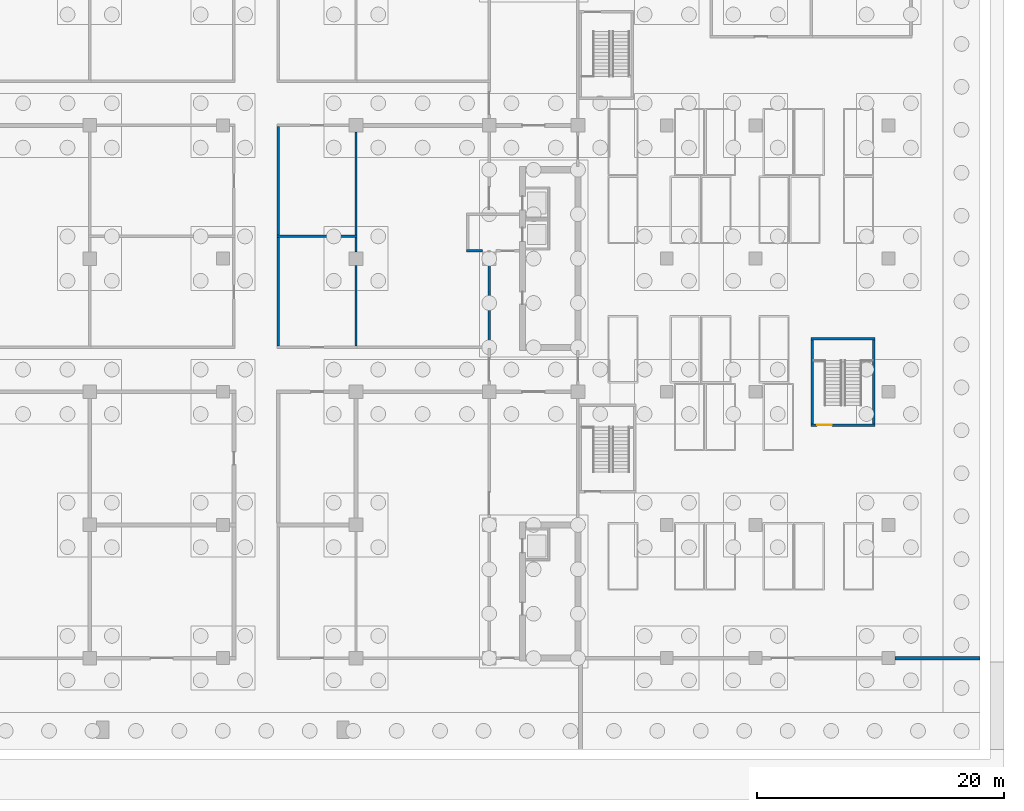
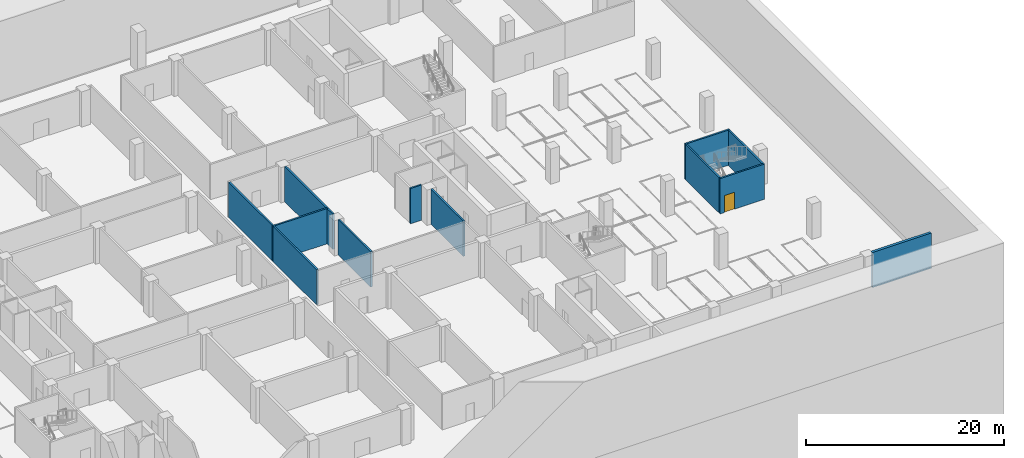
# One storey, part 8 of 18: 13 walls, 1 door, 1 opening.
"""IFC4 building model written with IfcOpenShell, lengths in metres."""

from ifc_helpers import new_model, si_unit, direction, frame, frame_2d, origin, place, context, subcontext, project, spatial, rectangle, extrude, material, layer, layer_set, type_object, element, fill, save


model = new_model("IFC4")

# Units and contexts
model_context = context("Model", 3, precision=1e-05, world=origin(), true_north=direction((0.0, 1.0)))
body_context = subcontext(model_context, "Body", "Model", "MODEL_VIEW")
ifc_project = project(units=[si_unit("LENGTHUNIT", "METRE"), si_unit("AREAUNIT", "SQUARE_METRE"), si_unit("VOLUMEUNIT", "CUBIC_METRE"), si_unit("PLANEANGLEUNIT", "RADIAN"), si_unit("MASSUNIT", "GRAM", prefix="KILO")], contexts=[model_context])

# Site, building, storey
site_placement = place(None, origin())
site = spatial("IfcSite", under=ifc_project, at=site_placement, CompositionType="ELEMENT")
building_placement = place(site_placement, origin())
building = spatial("IfcBuilding", under=site, at=building_placement, Name="Basin Gate Institute", CompositionType="ELEMENT")
storey_placement = place(building_placement, frame((0.0, 0.0, -9.60009765625)))
storey = spatial("IfcBuildingStorey", under=building, at=storey_placement, Name="B2", CompositionType="ELEMENT", Elevation=-9.60009765625)

# Walls
ifc_material_1 = material(Name="Blockwork", Category="masonry")
ifc_layer_1 = layer(ifc_material_1, 0.199951171875)
ifc_layer_set_1 = layer_set([ifc_layer_1], Name="Basement fire partition EI 120")
wall_type_1 = type_object("IfcWallType", Name="Basement fire partition EI 120", PredefinedType="PARTITIONING", material=ifc_layer_set_1)
wall_1_placement = place(storey_placement, frame((94.39990234375, 69.300048828125, 0.0), z_axis=(0.0, 0.0, 1.0), x_axis=(1.0, 0.0, 0.0)))
element("IfcWall", 1, at=wall_1_placement, inside=storey, type_object=wall_type_1, material=ifc_layer_set_1, Name="Compressed Air Plant fire-resisting wall", PredefinedType="PARTITIONING", context=body_context, shape_type="SweptSolid", body=[
    extrude(rectangle(XDim=6.5, YDim=0.199951171875, at=frame_2d((3.25, 0.0))), origin(), (0.0, 0.0, 1.0), 4.35009765625),
])
for number, where, z_axis, x_axis, name in (
    (2, (94.5, 60.39990234375, 0.0), (0.0, 0.0, 1.0), (0.0, 1.0, 0.0), "Compressed Air Plant fire-resisting wall"),
    (3, (94.5, 69.39990234375, 0.0), (0.0, 0.0, 1.0), (0.0, 1.0, 0.0), "Process Gas Store fire-resisting wall"),
):
    element("IfcWall", number, at=place(storey_placement, frame(where, z_axis=z_axis, x_axis=x_axis)), inside=storey, type_object=wall_type_1, material=ifc_layer_set_1, Name=name, PredefinedType="PARTITIONING", context=body_context, shape_type="SweptSolid", body=[
        extrude(rectangle(XDim=8.800048828125, YDim=0.199951171875, at=frame_2d((4.39990234375, 0.0))), origin(), (0.0, 0.0, 1.0), 4.35009765625),
    ])
wall_2_placement = place(storey_placement, frame((100.800048828125, 60.39990234375, 0.0), z_axis=(0.0, 0.0, 1.0), x_axis=(0.0, 1.0, 0.0)))
element("IfcWall", 4, at=wall_2_placement, inside=storey, type_object=wall_type_1, material=ifc_layer_set_1, Name="Compressed Air Plant fire-resisting wall", PredefinedType="PARTITIONING", context=body_context, shape_type="SweptSolid", body=[
    extrude(rectangle(XDim=6.550048828125, YDim=0.199951171875, at=frame_2d((3.27490234375, 0.0))), origin(), (0.0, 0.0, 1.0), 4.35009765625),
])
wall_3_placement = place(storey_placement, frame((100.800048828125, 68.050048828125, 0.0), z_axis=(0.0, 0.0, 1.0), x_axis=(0.0, 1.0, 0.0)))
element("IfcWall", 5, at=wall_3_placement, inside=storey, type_object=wall_type_1, material=ifc_layer_set_1, Name="Compressed Air Plant fire-resisting wall", PredefinedType="PARTITIONING", context=body_context, shape_type="SweptSolid", body=[
    extrude(rectangle(XDim=1.14990234375, YDim=0.199951171875, at=frame_2d((0.574951171875, 0.0))), origin(), (0.0, 0.0, 1.0), 4.35009765625),
])
wall_4_placement = place(storey_placement, frame((100.800048828125, 69.39990234375, 0.0), z_axis=(0.0, 0.0, 1.0), x_axis=(0.0, 1.0, 0.0)))
element("IfcWall", 6, at=wall_4_placement, inside=storey, type_object=wall_type_1, material=ifc_layer_set_1, Name="Process Gas Store fire-resisting wall", PredefinedType="PARTITIONING", context=body_context, shape_type="SweptSolid", body=[
    extrude(rectangle(XDim=8.35009765625, YDim=0.199951171875, at=frame_2d((4.175048828125, 0.0))), origin(), (0.0, 0.0, 1.0), 4.35009765625),
])
wall_5_placement = place(storey_placement, frame((111.60009765625, 60.39990234375, 0.0), z_axis=(0.0, 0.0, 1.0), x_axis=(0.0, 1.0, 0.0)))
element("IfcWall", 7, at=wall_5_placement, inside=storey, type_object=wall_type_1, material=ifc_layer_set_1, Name="Cryogenics Store fire-resisting wall", PredefinedType="PARTITIONING", context=body_context, shape_type="SweptSolid", body=[
    extrude(rectangle(XDim=6.550048828125, YDim=0.199951171875, at=frame_2d((3.27490234375, 0.0))), origin(), (0.0, 0.0, 1.0), 4.35009765625),
])
ifc_material_2 = material(Name="Blockwork", Category="masonry")
ifc_layer_2 = layer(ifc_material_2, 0.199951171875)
ifc_layer_set_2 = layer_set([ifc_layer_2], Name="Basement fire partition EI 60")
wall_type_2 = type_object("IfcWallType", Name="Basement fire partition EI 60", PredefinedType="PARTITIONING", material=ifc_layer_set_2)
wall_6_placement = place(storey_placement, frame((109.75, 68.125, 0.0), z_axis=(0.0, 0.0, 1.0), x_axis=(1.0, 0.0, 0.0)))
element("IfcWall", 8, at=wall_6_placement, inside=storey, type_object=wall_type_2, material=ifc_layer_set_2, Name="Emergency Lift Lobby B2 LF2 fire-resisting wall", PredefinedType="PARTITIONING", context=body_context, shape_type="SweptSolid", body=[
    extrude(rectangle(XDim=1.300048828125, YDim=0.199951171875, at=frame_2d((0.64990234375, 0.0))), origin(), (0.0, 0.0, 1.0), 4.35009765625),
])

# Wall, opening, door
ifc_material_3 = material(Name="Concrete 35 MPa", Category="concrete")
ifc_layer_3 = layer(ifc_material_3, 0.199951171875)
ifc_layer_set_3 = layer_set([ifc_layer_3], Name="Concrete 35 MPa")
wall_type_3 = type_object("IfcWallType", Name="Basement stair enclosure wall W67 REI 120", PredefinedType="SOLIDWALL", material=ifc_layer_set_3)
wall_7_placement = place(storey_placement, frame((137.699951171875, 54.0, 0.0), z_axis=(0.0, 0.0, 1.0), x_axis=(1.0, 0.0, 0.0)))
wall_7 = element("IfcWall", 9, at=wall_7_placement, inside=storey, type_object=wall_type_3, material=ifc_layer_set_3, Name="Stair Enclosure BS6 B2 enclosure wall", PredefinedType="SOLIDWALL", context=body_context, shape_type="SweptSolid", body=[
    extrude(rectangle(XDim=5.199951171875, YDim=0.199951171875, at=frame_2d((2.60009765625, 0.0))), origin(), (0.0, 0.0, 1.0), 4.35009765625),
])
opening_placement = place(wall_7_placement, frame((0.5, 0.0, 0.0)))
opening = element("IfcOpeningElement", 10, at=opening_placement, cuts=wall_7, Name="Opening DB247", PredefinedType="OPENING", context=body_context, shape_type="SweptSolid", body=[
    extrude(rectangle(XDim=1.199951171875, YDim=2.10009765625, at=frame_2d((0.60009765625, 1.050048828125))), frame((0.0, 0.10986328125, 0.0), z_axis=(0.0, -1.0, 0.0), x_axis=(1.0, 0.0, 0.0)), (0.0, 0.0, 1.0), 0.219970703125),
])
ifc_material_4 = material(Name="Steel door set", Category="steel")
door_type = type_object("IfcDoorType", Name="Stair door FD120 1200x2100", OperationType="NOTDEFINED", PredefinedType="DOOR", material=ifc_material_4)
door_placement = place(opening_placement, frame((1.199951171875, 0.0, 0.0), z_axis=(0.0, 0.0, 1.0), x_axis=(-1.0, 0.0, 0.0)))
door = element("IfcDoor", 11, at=door_placement, inside=storey, type_object=door_type, material=ifc_material_4, Name="Door DB247 Stair Enclosure BS6 B2", OperationType="SINGLE_SWING_RIGHT", OverallHeight=2.10009765625, OverallWidth=1.199951171875, PredefinedType="DOOR", context=body_context, shape_type="SweptSolid", body=[
    extrude(rectangle(XDim=1.199951171875, YDim=2.10009765625, at=frame_2d((0.60009765625, 1.050048828125))), frame((0.0, 0.02490234375, 0.0), z_axis=(0.0, -1.0, 0.0), x_axis=(1.0, 0.0, 0.0)), (0.0, 0.0, 1.0), 0.050048828125),
])
fill(opening, door)

# Walls
wall_8_placement = place(storey_placement, frame((137.699951171875, 61.0, 0.0), z_axis=(0.0, 0.0, 1.0), x_axis=(1.0, 0.0, 0.0)))
element("IfcWall", 12, at=wall_8_placement, inside=storey, type_object=wall_type_3, material=ifc_layer_set_3, Name="Stair Enclosure BS6 B2 enclosure wall", PredefinedType="SOLIDWALL", context=body_context, shape_type="SweptSolid", body=[
    extrude(rectangle(XDim=5.199951171875, YDim=0.199951171875, at=frame_2d((2.60009765625, 0.0))), origin(), (0.0, 0.0, 1.0), 4.35009765625),
])
for number, where, z_axis, x_axis, name in (
    (13, (137.800048828125, 54.10009765625, 0.0), (0.0, 0.0, 1.0), (0.0, 1.0, 0.0), "Stair Enclosure BS6 B2 enclosure wall"),
    (14, (142.800048828125, 54.10009765625, 0.0), (0.0, 0.0, 1.0), (0.0, 1.0, 0.0), "Stair Enclosure BS6 B2 enclosure wall"),
):
    element("IfcWall", number, at=place(storey_placement, frame(where, z_axis=z_axis, x_axis=x_axis)), inside=storey, type_object=wall_type_3, material=ifc_layer_set_3, Name=name, PredefinedType="SOLIDWALL", context=body_context, shape_type="SweptSolid", body=[
        extrude(rectangle(XDim=6.7998046875, YDim=0.199951171875, at=frame_2d((3.39990234375, 0.0))), origin(), (0.0, 0.0, 1.0), 4.35009765625),
    ])
ifc_material_5 = material(Name="Concrete 35 MPa", Category="concrete")
ifc_layer_4 = layer(ifc_material_5, 0.300048828125)
ifc_layer_set_4 = layer_set([ifc_layer_4], Name="Concrete 35 MPa")
wall_type_4 = type_object("IfcWallType", Name="Tank wall 300", PredefinedType="SOLIDWALL", material=ifc_layer_set_4)
wall_9_placement = place(storey_placement, frame((144.52490234375, 35.10009765625, 0.0), z_axis=(0.0, 0.0, 1.0), x_axis=(1.0, 0.0, 0.0)))
element("IfcWall", 15, at=wall_9_placement, inside=storey, type_object=wall_type_4, material=ifc_layer_set_4, Name="Rainwater Tank 2 fire-resisting wall", PredefinedType="SOLIDWALL", context=body_context, shape_type="SweptSolid", body=[
    extrude(rectangle(XDim=6.875, YDim=0.300048828125, at=frame_2d((3.4375, 0.0))), origin(), (0.0, 0.0, 1.0), 4.35009765625),
])

save(model, "model.ifc")
